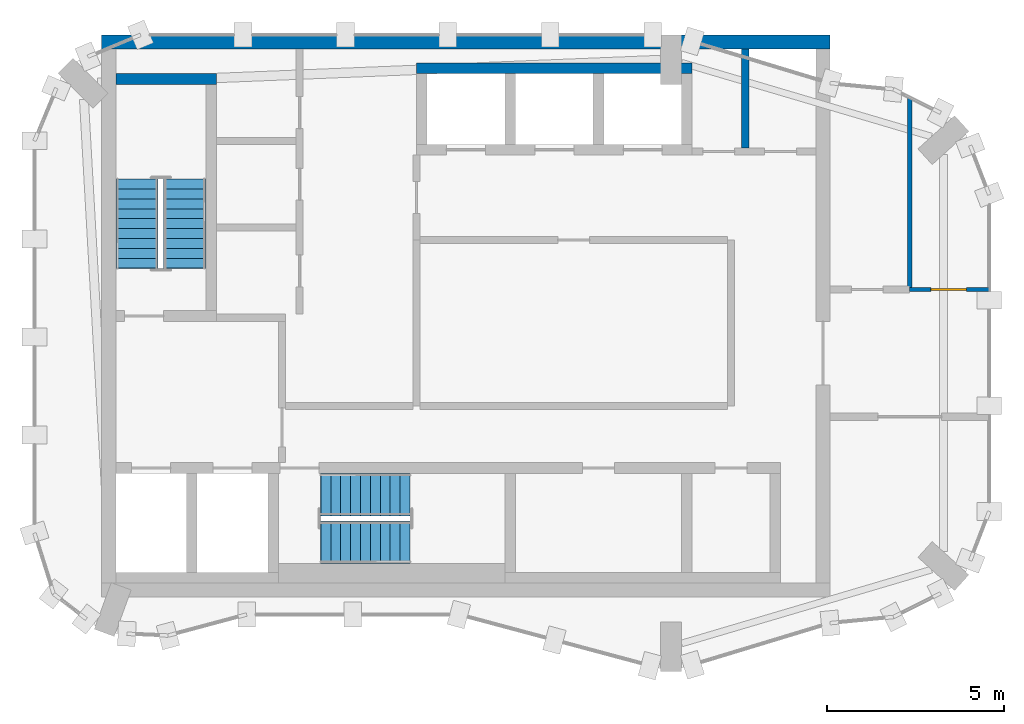
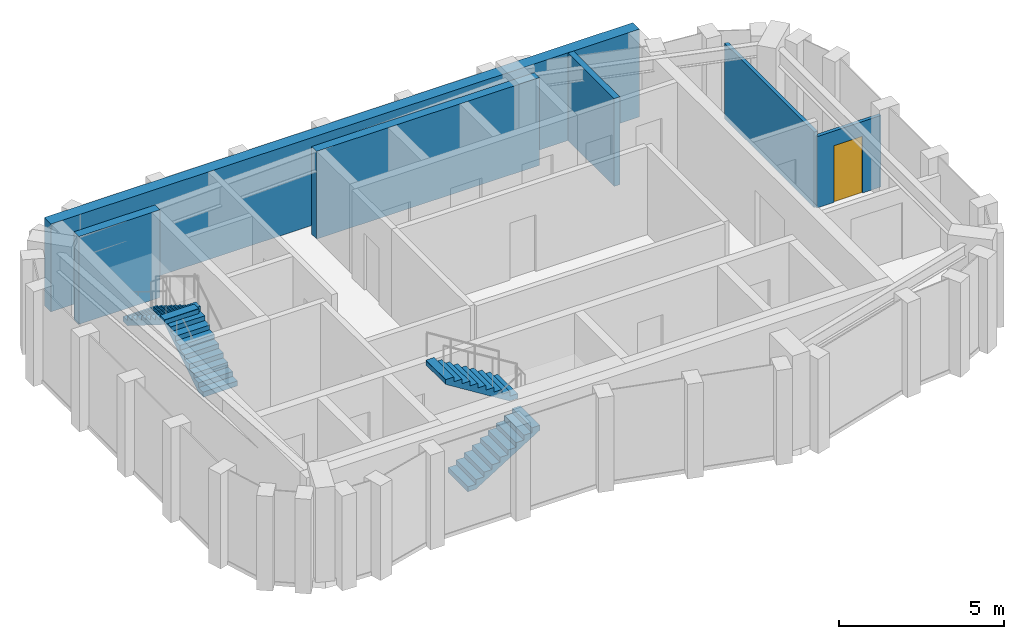
# One storey, part 4 of 5: 6 walls, 4 stair flights, 1 door, 1 opening, 2 elements without a shape of their own.
"""IFC4 building model written with IfcOpenShell, lengths in metres."""

from ifc_helpers import new_model, si_unit, direction, frame, frame_2d, origin, place, context, subcontext, project, spatial, polyline, rectangle, outline, extrude, material, layer, layer_set, type_object, element, fill, aggregate, save


model = new_model("IFC4")

# Units and contexts
model_context = context("Model", 3, precision=1e-05, world=origin(), true_north=direction((0.0, 1.0)))
body_context = subcontext(model_context, "Body", "Model", "MODEL_VIEW")
ifc_project = project(units=[si_unit("LENGTHUNIT", "METRE"), si_unit("AREAUNIT", "SQUARE_METRE"), si_unit("VOLUMEUNIT", "CUBIC_METRE"), si_unit("PLANEANGLEUNIT", "RADIAN"), si_unit("MASSUNIT", "GRAM", prefix="KILO")], contexts=[model_context])

# Site, building, storey
site_placement = place(None, origin())
site = spatial("IfcSite", under=ifc_project, at=site_placement, CompositionType="ELEMENT")
building_placement = place(site_placement, origin())
building = spatial("IfcBuilding", under=site, at=building_placement, Name="Plateau Cross Towers", CompositionType="ELEMENT")
storey_placement = place(building_placement, frame((0.0, 0.0, 305.39990234375)))
storey = spatial("IfcBuildingStorey", under=building, at=storey_placement, Name="L81 Crown 3", CompositionType="ELEMENT", Elevation=305.39990234375)

# Walls
ifc_material_1 = material(Name="Concrete block, plastered both sides", Category="concrete")
ifc_layer_1 = layer(ifc_material_1, 0.199951171875)
ifc_layer_set_1 = layer_set([ifc_layer_1], Name="Concrete block, plastered both sides")
wall_type_1 = type_object("IfcWallType", Name="Core partition 200", PredefinedType="PARTITIONING", material=ifc_layer_set_1)
wall_1_placement = place(storey_placement, frame((20.10009765625, 14.800048828125, 0.0), z_axis=(0.0, 0.0, 1.0), x_axis=(0.0, 1.0, 0.0)))
element("IfcWall", 1, at=wall_1_placement, inside=storey, type_object=wall_type_1, Name="Core partition", PredefinedType="PARTITIONING", context=body_context, shape_type="SweptSolid", body=[
    extrude(rectangle(XDim=2.800048828125, YDim=0.199951171875, at=frame_2d((1.39990234375, 0.0))), origin(), (0.0, 0.0, 1.0), 3.25),
])
ifc_material_2 = material(Name="Concrete C60/75", Category="concrete")
ifc_layer_2 = layer(ifc_material_2, 0.300048828125)
ifc_layer_set_2 = layer_set([ifc_layer_2], Name="Concrete C60/75")
wall_type_2 = type_object("IfcWallType", Name="Core shaft wall 300", PredefinedType="SHEAR", material=ifc_layer_set_2)
wall_2_placement = place(storey_placement, frame((2.300048828125, 16.75, 0.0), z_axis=(0.0, 0.0, 1.0), x_axis=(1.0, 0.0, 0.0)))
element("IfcWall", 2, at=wall_2_placement, inside=storey, type_object=wall_type_2, Name="A-st1-N@L81 Crown 3", PredefinedType="SHEAR", context=body_context, shape_type="SweptSolid", body=[
    extrude(rectangle(XDim=2.849853515625, YDim=0.300048828125, at=frame_2d((1.4248046875, 0.0))), origin(), (0.0, 0.0, 1.0), 3.25),
])
wall_3_placement = place(storey_placement, frame((10.800048828125, 17.050048828125, 0.0), z_axis=(0.0, 0.0, 1.0), x_axis=(1.0, 0.0, 0.0)))
element("IfcWall", 3, at=wall_3_placement, inside=storey, type_object=wall_type_2, Name="A-nb-back@L81 Crown 3", PredefinedType="SHEAR", context=body_context, shape_type="SweptSolid", body=[
    extrude(rectangle(XDim=7.800048828125, YDim=0.300048828125, at=frame_2d((3.89990234375, 0.0))), origin(), (0.0, 0.0, 1.0), 3.25),
])
ifc_layer_3 = layer(ifc_material_2, 0.39990234375)
ifc_layer_set_3 = layer_set([ifc_layer_3], Name="Concrete C60/75")
wall_type_3 = type_object("IfcWallType", Name="Core shell wall 400", PredefinedType="SHEAR", material=ifc_layer_set_3)
wall_4_placement = place(storey_placement, frame((1.89990234375, 17.800048828125, 0.0), z_axis=(0.0, 0.0, 1.0), x_axis=(1.0, 0.0, 0.0)))
element("IfcWall", 4, at=wall_4_placement, inside=storey, type_object=wall_type_3, Name="A-core-N@L81 Crown 3", PredefinedType="SHEAR", context=body_context, shape_type="SweptSolid", body=[
    extrude(rectangle(XDim=20.60009765625, YDim=0.39990234375, at=frame_2d((10.300048828125, 0.0))), origin(), (0.0, 0.0, 1.0), 3.25),
])
ifc_material_3 = material(Name="Moisture-resistant board on steel studs, tiled one side", Category="steel")
ifc_layer_4 = layer(ifc_material_3, 0.1201171875)
ifc_layer_set_4 = layer_set([ifc_layer_4], Name="Moisture-resistant board on steel studs, tiled one side")
wall_type_4 = type_object("IfcWallType", Name="Sanitary partition 120", PredefinedType="PARTITIONING", material=ifc_layer_set_4)
wall_5_placement = place(storey_placement, frame((24.75, 16.23193359375, 0.0), z_axis=(0.0, 0.0, 1.0), x_axis=(0.0, -1.0, 0.0)))
element("IfcWall", 5, at=wall_5_placement, inside=storey, type_object=wall_type_4, Name="Partition wall", PredefinedType="PARTITIONING", context=body_context, shape_type="SweptSolid", body=[
    extrude(rectangle(XDim=5.431884765625, YDim=0.1201171875, at=frame_2d((2.7158203125, 0.0))), origin(), (0.0, 0.0, 1.0), 2.797119140625),
])

# Wall, opening, door
wall_6_placement = place(storey_placement, frame((24.75, 10.800048828125, 0.0), z_axis=(0.0, 0.0, 1.0), x_axis=(1.0, 0.0, 0.0)))
wall_6 = element("IfcWall", 6, at=wall_6_placement, inside=storey, type_object=wall_type_4, Name="Partition wall", PredefinedType="PARTITIONING", context=body_context, shape_type="SweptSolid", body=[
    extrude(rectangle(XDim=2.25, YDim=0.1201171875, at=frame_2d((1.125, 0.0))), origin(), (0.0, 0.0, 1.0), 2.64208984375),
])
opening_placement = place(wall_6_placement, frame((0.60009765625, 0.0, 0.0)))
opening = element("IfcOpeningElement", 7, at=opening_placement, cuts=wall_6, Name="Opening 813-02", PredefinedType="OPENING", context=body_context, shape_type="SweptSolid", body=[
    extrude(rectangle(XDim=1.0, YDim=2.10009765625, at=frame_2d((0.5, 1.050048828125))), frame((0.0, 0.070068359375, 0.0), z_axis=(0.0, -1.0, 0.0), x_axis=(1.0, 0.0, 0.0)), (0.0, 0.0, 1.0), 0.14013671875),
])
ifc_material_4 = material(Name="Timber leaf", Category="wood")
door_type = type_object("IfcDoorType", Name="Podium clinic door 1000", OperationType="NOTDEFINED", PredefinedType="DOOR", material=ifc_material_4)
door_placement = place(opening_placement, origin())
door = element("IfcDoor", 8, at=door_placement, inside=storey, type_object=door_type, Name="Door 813-02", OperationType="SINGLE_SWING_LEFT", OverallHeight=2.10009765625, OverallWidth=1.0, PredefinedType="DOOR", context=body_context, shape_type="SweptSolid", body=[
    extrude(rectangle(XDim=1.0, YDim=2.10009765625, at=frame_2d((0.5, 1.050048828125))), frame((0.0, 0.02490234375, 0.0), z_axis=(0.0, -1.0, 0.0), x_axis=(1.0, 0.0, 0.0)), (0.0, 0.0, 1.0), 0.050048828125),
])
fill(opening, door)

# Stair, stair flights
ifc_material_5 = material(Name="Concrete C40/50", Category="concrete")
stair_type = type_object("IfcStairType", Name="ST-TWR", PredefinedType="HALF_TURN_STAIR", material=ifc_material_5)
stair_1_placement = place(storey_placement, origin())
stair_1 = element("IfcStair", 9, at=stair_1_placement, inside=storey, type_object=stair_type, Name="L81 Crown 3 Protected Exit Stair ST-1", PredefinedType="HALF_TURN_STAIR")
stair_flight_type = type_object("IfcStairFlightType", Name="SFL-RC", PredefinedType="STRAIGHT", material=ifc_material_5)
stair_flight_1_placement = place(storey_placement, frame((4.25, 11.39990234375, 0.0), z_axis=(0.0, 0.0, 1.0), x_axis=(0.0, 1.0, 0.0)))
stair_flight_1 = element("IfcStairFlight", 10, at=stair_flight_1_placement, type_object=stair_flight_type, Name="ST-1 flight 1", NumberOfRisers=10, NumberOfTreads=9, PredefinedType="STRAIGHT", RiserHeight=0.175, TreadLength=0.28, context=body_context, shape_type="SweptSolid", body=[
    extrude(outline(polyline([(-0.0048828125, -0.010009765625), (-0.0048828125, 0.0), (0.0, 0.0), (0.0, 0.175048828125), (0.280029296875, 0.175048828125), (0.280029296875, 0.35009765625), (0.56005859375, 0.35009765625), (0.56005859375, 0.52490234375), (0.840087890625, 0.52490234375), (0.840087890625, 0.699951171875), (1.1201171875, 0.699951171875), (1.1201171875, 0.875), (1.39990234375, 0.875), (1.39990234375, 1.050048828125), (1.679931640625, 1.050048828125), (1.679931640625, 1.22509765625), (1.9599609375, 1.22509765625), (1.9599609375, 1.39990234375), (2.239990234375, 1.39990234375), (2.239990234375, 1.574951171875), (2.52001953125, 1.574951171875), (2.52490234375, 1.56494140625), (2.52490234375, 1.398193359375), (2.52001953125, 1.398193359375), (0.28271484375, 0.0), (0.02001953125, 0.0), (0.02001953125, -0.010009765625), (-0.0048828125, -0.010009765625)])), frame((0.0, 0.60009765625, 0.0), z_axis=(0.0, -1.0, 0.0), x_axis=(1.0, 0.0, 0.0)), (0.0, 0.0, 1.0), 1.199951171875),
])
stair_flight_2_placement = place(storey_placement, frame((2.89990234375, 13.919921875, 1.75), z_axis=(0.0, 0.0, 1.0), x_axis=(0.0, -1.0, 0.0)))
stair_flight_2 = element("IfcStairFlight", 11, at=stair_flight_2_placement, type_object=stair_flight_type, Name="ST-1 flight 2", NumberOfRisers=10, NumberOfTreads=9, PredefinedType="STRAIGHT", RiserHeight=0.175, TreadLength=0.28, context=body_context, shape_type="SweptSolid", body=[
    extrude(outline(polyline([(-0.0048828125, -0.010009765625), (-0.0048828125, 0.0), (0.0, 0.0), (0.0, 0.175048828125), (0.280029296875, 0.175048828125), (0.280029296875, 0.35009765625), (0.56005859375, 0.35009765625), (0.56005859375, 0.52490234375), (0.840087890625, 0.52490234375), (0.840087890625, 0.699951171875), (1.1201171875, 0.699951171875), (1.1201171875, 0.875), (1.39990234375, 0.875), (1.39990234375, 1.050048828125), (1.679931640625, 1.050048828125), (1.679931640625, 1.22509765625), (1.9599609375, 1.22509765625), (1.9599609375, 1.39990234375), (2.239990234375, 1.39990234375), (2.239990234375, 1.574951171875), (2.52001953125, 1.574951171875), (2.52490234375, 1.56494140625), (2.52490234375, 1.398193359375), (2.52001953125, 1.398193359375), (0.28271484375, 0.0), (0.02001953125, 0.0), (0.02001953125, -0.010009765625), (-0.0048828125, -0.010009765625)])), frame((0.0, 0.60009765625, 0.0), z_axis=(0.0, -1.0, 0.0), x_axis=(1.0, 0.0, 0.0)), (0.0, 0.0, 1.0), 1.199951171875),
])
aggregate(stair_1, [stair_flight_1, stair_flight_2])

stair_2_placement = place(storey_placement, origin())
stair_2 = element("IfcStair", 12, at=stair_2_placement, inside=storey, type_object=stair_type, Name="L81 Crown 3 Protected Exit Stair ST-2", PredefinedType="HALF_TURN_STAIR")
stair_flight_3_placement = place(storey_placement, frame((8.10009765625, 3.64990234375, 0.0), z_axis=(0.0, 0.0, 1.0), x_axis=(1.0, 0.0, 0.0)))
stair_flight_3 = element("IfcStairFlight", 13, at=stair_flight_3_placement, type_object=stair_flight_type, Name="ST-2 flight 1", NumberOfRisers=10, NumberOfTreads=9, PredefinedType="STRAIGHT", RiserHeight=0.175, TreadLength=0.28, context=body_context, shape_type="SweptSolid", body=[
    extrude(outline(polyline([(-0.0048828125, -0.010009765625), (-0.0048828125, 0.0), (0.0, 0.0), (0.0, 0.175048828125), (0.280029296875, 0.175048828125), (0.280029296875, 0.35009765625), (0.56005859375, 0.35009765625), (0.56005859375, 0.52490234375), (0.840087890625, 0.52490234375), (0.840087890625, 0.699951171875), (1.1201171875, 0.699951171875), (1.1201171875, 0.875), (1.39990234375, 0.875), (1.39990234375, 1.050048828125), (1.679931640625, 1.050048828125), (1.679931640625, 1.22509765625), (1.9599609375, 1.22509765625), (1.9599609375, 1.39990234375), (2.239990234375, 1.39990234375), (2.239990234375, 1.574951171875), (2.52001953125, 1.574951171875), (2.52490234375, 1.56494140625), (2.52490234375, 1.398193359375), (2.52001953125, 1.398193359375), (0.28271484375, 0.0), (0.02001953125, 0.0), (0.02001953125, -0.010009765625), (-0.0048828125, -0.010009765625)])), frame((0.0, 0.60009765625, 0.0), z_axis=(0.0, -1.0, 0.0), x_axis=(1.0, 0.0, 0.0)), (0.0, 0.0, 1.0), 1.199951171875),
])
stair_flight_4_placement = place(storey_placement, frame((10.6201171875, 5.0, 1.75), z_axis=(0.0, 0.0, 1.0), x_axis=(-1.0, 0.0, 0.0)))
stair_flight_4 = element("IfcStairFlight", 14, at=stair_flight_4_placement, type_object=stair_flight_type, Name="ST-2 flight 2", NumberOfRisers=10, NumberOfTreads=9, PredefinedType="STRAIGHT", RiserHeight=0.175, TreadLength=0.28, context=body_context, shape_type="SweptSolid", body=[
    extrude(outline(polyline([(-0.0048828125, -0.010009765625), (-0.0048828125, 0.0), (0.0, 0.0), (0.0, 0.175048828125), (0.280029296875, 0.175048828125), (0.280029296875, 0.35009765625), (0.56005859375, 0.35009765625), (0.56005859375, 0.52490234375), (0.840087890625, 0.52490234375), (0.840087890625, 0.699951171875), (1.1201171875, 0.699951171875), (1.1201171875, 0.875), (1.39990234375, 0.875), (1.39990234375, 1.050048828125), (1.679931640625, 1.050048828125), (1.679931640625, 1.22509765625), (1.9599609375, 1.22509765625), (1.9599609375, 1.39990234375), (2.239990234375, 1.39990234375), (2.239990234375, 1.574951171875), (2.52001953125, 1.574951171875), (2.52490234375, 1.56494140625), (2.52490234375, 1.398193359375), (2.52001953125, 1.398193359375), (0.28271484375, 0.0), (0.02001953125, 0.0), (0.02001953125, -0.010009765625), (-0.0048828125, -0.010009765625)])), frame((0.0, 0.60009765625, 0.0), z_axis=(0.0, -1.0, 0.0), x_axis=(1.0, 0.0, 0.0)), (0.0, 0.0, 1.0), 1.199951171875),
])
aggregate(stair_2, [stair_flight_3, stair_flight_4])

save(model, "model.ifc")
